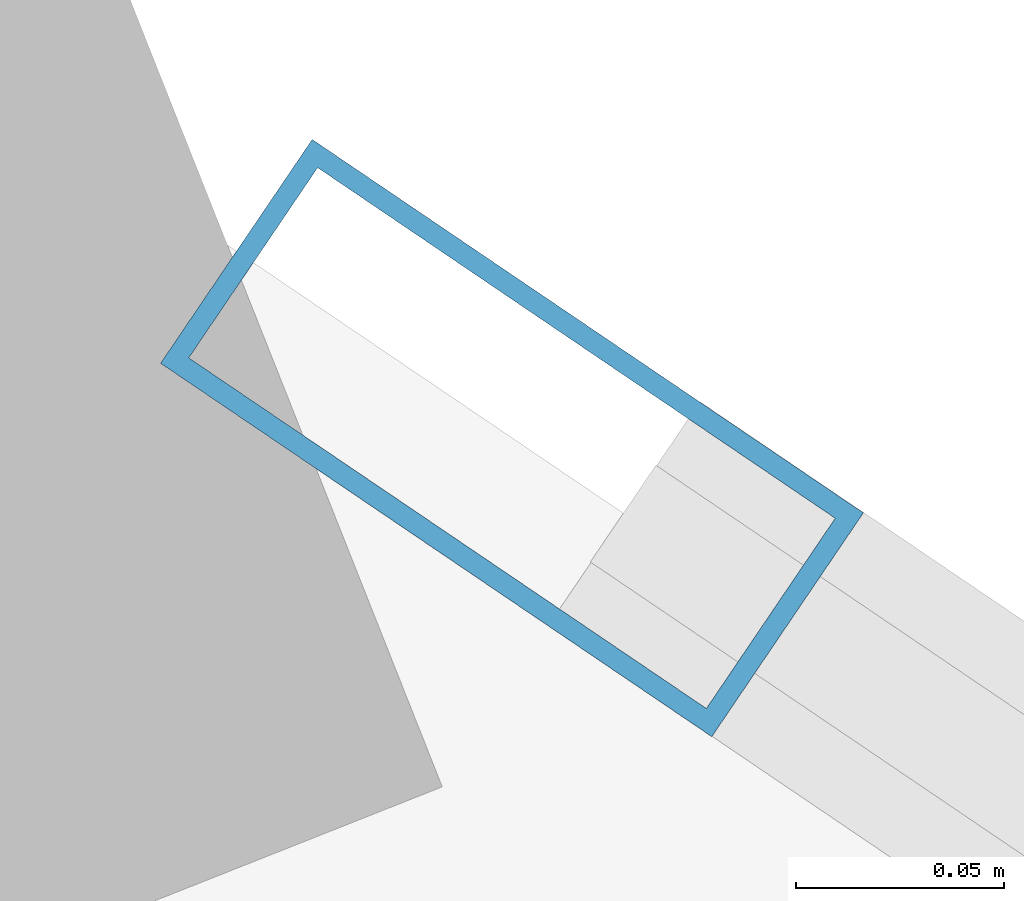
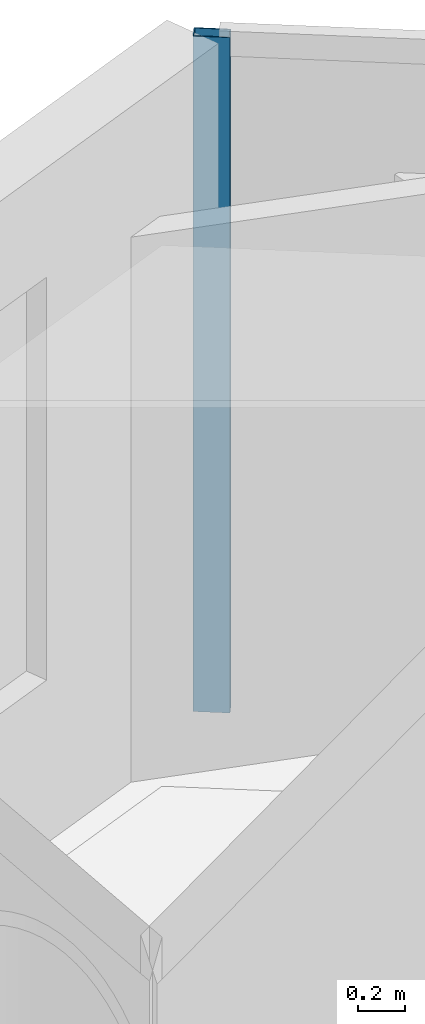
# One storey, part 14 of 21: 1 member, 1 element without a shape of its own.
"""IFC4 building model written with IfcOpenShell, lengths in metres."""

from ifc_helpers import new_model, si_unit, direction, frame, origin, origin_2d, place, context, subcontext, project, spatial, hollow_rectangle, extrude, material, layer, layer_set, material_profile, profile_set, type_object, element, aggregate, save


model = new_model("IFC4")

# Units and contexts
model_context = context("Model", 3, precision=1e-05, world=origin(), true_north=direction((0.0, 1.0)))
body_context = subcontext(model_context, "Body", "Model", "MODEL_VIEW")
ifc_project = project(units=[si_unit("LENGTHUNIT", "METRE"), si_unit("AREAUNIT", "SQUARE_METRE"), si_unit("VOLUMEUNIT", "CUBIC_METRE"), si_unit("PLANEANGLEUNIT", "RADIAN"), si_unit("MASSUNIT", "GRAM", prefix="KILO")], contexts=[model_context])

# Site, building, storey
site_placement = place(None, origin())
site = spatial("IfcSite", under=ifc_project, at=site_placement, CompositionType="ELEMENT")
building_placement = place(site_placement, origin())
building = spatial("IfcBuilding", under=site, at=building_placement, Name="Qianvela Tower", CompositionType="ELEMENT")
storey_placement = place(building_placement, frame((0.0, 0.0, 108.89990234375)))
storey = spatial("IfcBuildingStorey", under=building, at=storey_placement, Name="L27", CompositionType="ELEMENT", Elevation=108.89990234375)

# Curtain wall, member
ifc_material_1 = material(Name="Anodised Architectural Aluminium and Low-E Glass", Category="aluminium")
ifc_layer = layer(ifc_material_1, 0.169921875)
ifc_layer_set = layer_set([ifc_layer], Name="Anodised Architectural Aluminium and Low-E Glass")
curtain_wall_type = type_object("IfcCurtainWallType", Name="CW-COLIV-Z34", PredefinedType="USERDEFINED", material=ifc_layer_set)
curtain_wall_placement = place(storey_placement, origin())
curtain_wall = element("IfcCurtainWall", 1, at=curtain_wall_placement, inside=storey, type_object=curtain_wall_type, Name="L27 CW-COLIV-Z34 Curtain Wall 02C", ObjectType="CURTAIN_WALL_SYSTEM", PredefinedType="USERDEFINED")
ifc_material_2 = material(Name="Anodised Architectural Aluminium 6063-T6", Category="aluminium")
ifc_material_profile = material_profile(ifc_material_2, hollow_rectangle(XDim=0.06494140625, YDim=0.159912109375, WallThickness=0.0048828125, at=origin_2d()), Name="ALU-MULL-65x160")
ifc_profile_set = profile_set([ifc_material_profile], Name="Anodised Architectural Aluminium 6063-T6")
member_type = type_object("IfcMemberType", Name="CW-COLIV-Z34-MULL", PredefinedType="MULLION", material=ifc_profile_set)
member_placement = place(storey_placement, frame((33.256591796875, 44.314453125, 0.0), z_axis=(0.0, 0.0, 1.0), x_axis=(-0.560827049346, -0.827932980815, 0.0)))
member = element("IfcMember", 2, at=member_placement, type_object=member_type, Name="CW-4 mullion 2", PredefinedType="MULLION", context=body_context, shape_type="SweptSolid", body=[
    extrude(hollow_rectangle(XDim=0.06494140625, YDim=0.159912109375, WallThickness=0.0048828125, at=origin_2d()), origin(), (0.0, 0.0, 1.0), 3.52001953125),
])
aggregate(curtain_wall, [member])

save(model, "model.ifc")
